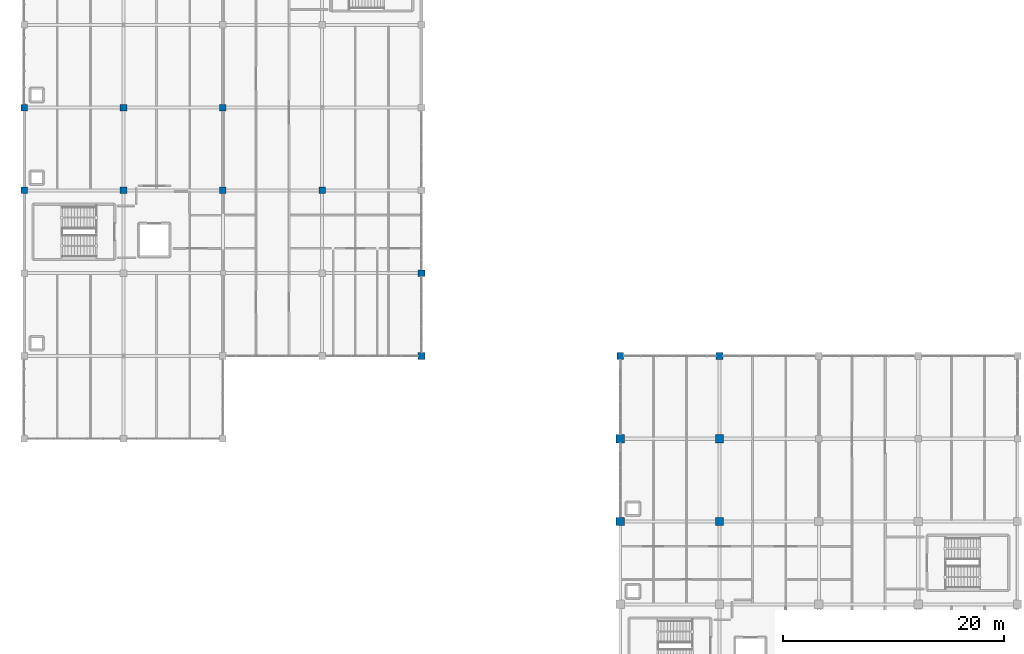
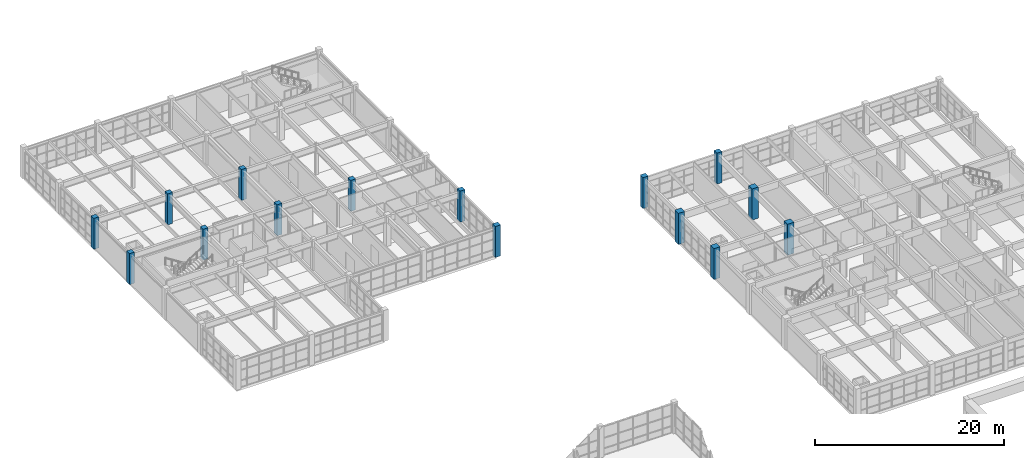
# One storey, part 8 of 76: 15 columns.
"""IFC4 building model written with IfcOpenShell, lengths in metres."""

from ifc_helpers import new_model, si_unit, direction, frame, origin, origin_2d, place, context, subcontext, project, spatial, rectangle, extrude, material, material_profile, profile_set, type_object, element, save


model = new_model("IFC4")

# Units and contexts
model_context = context("Model", 3, precision=1e-05, world=origin(), true_north=direction((0.0, 1.0)))
body_context = subcontext(model_context, "Body", "Model", "MODEL_VIEW")
ifc_project = project(units=[si_unit("LENGTHUNIT", "METRE"), si_unit("AREAUNIT", "SQUARE_METRE"), si_unit("VOLUMEUNIT", "CUBIC_METRE"), si_unit("PLANEANGLEUNIT", "RADIAN"), si_unit("MASSUNIT", "GRAM", prefix="KILO")], contexts=[model_context])

# Site, building, storey
site_placement = place(None, origin())
site = spatial("IfcSite", under=ifc_project, at=site_placement, CompositionType="ELEMENT")
building_placement = place(site_placement, origin())
building = spatial("IfcBuilding", under=site, at=building_placement, Name="Marnridge Secondary College", CompositionType="ELEMENT")
storey_placement = place(building_placement, frame((0.0, 0.0, 4.5)))
storey = spatial("IfcBuildingStorey", under=building, at=storey_placement, Name="L01", CompositionType="ELEMENT", Elevation=4.5)

# Columns
ifc_material_1 = material(Name="Concrete C40/50 (AS 3600 N40, 40 MPa)", Category="concrete")
ifc_material_profile_1 = material_profile(ifc_material_1, rectangle(XDim=0.60009765625, YDim=0.60009765625, at=origin_2d()), Name="RC 600x600")
ifc_profile_set_1 = profile_set([ifc_material_profile_1], Name="Concrete C40/50 (AS 3600 N40, 40 MPa)")
column_type_1 = type_object("IfcColumnType", Name="CL-RC600-EXT", PredefinedType="COLUMN", material=ifc_profile_set_1)
for number, where, z_axis, x_axis, name in (
    (1, (36.0, 82.5, 0.0), (0.0, 0.0, 1.0), (1.0, 0.0, 0.0), "Column C-L01-0480"),
    (2, (54.0, 82.5, 0.0), (0.0, 0.0, 1.0), (1.0, 0.0, 0.0), "Column C-L01-0483"),
    (3, (63.0, 82.5, 0.0), (0.0, 0.0, 1.0), (1.0, 0.0, 0.0), "Column C-L01-0486"),
    (4, (36.0, 90.0, 0.0), (0.0, 0.0, 1.0), (1.0, 0.0, 0.0), "Column C-L01-0520"),
    (5, (0.0, 97.5, 0.0), (0.0, 0.0, 1.0), (1.0, 0.0, 0.0), "Column C-L01-0530"),
    (6, (0.0, 105.0, 0.0), (0.0, 0.0, 1.0), (1.0, 0.0, 0.0), "Column C-L01-0556"),
):
    element("IfcColumn", number, at=place(storey_placement, frame(where, z_axis=z_axis, x_axis=x_axis)), inside=storey, type_object=column_type_1, Name=name, PredefinedType="COLUMN", context=body_context, shape_type="SweptSolid", body=[
        extrude(rectangle(XDim=0.60009765625, YDim=0.60009765625, at=origin_2d()), origin(), (0.0, 0.0, 1.0), 4.0),
    ])
ifc_material_2 = material(Name="Concrete C40/50 (AS 3600 N40, 40 MPa)", Category="concrete")
ifc_material_profile_2 = material_profile(ifc_material_2, rectangle(XDim=0.60009765625, YDim=0.60009765625, at=origin_2d()), Name="RC 600x600")
ifc_profile_set_2 = profile_set([ifc_material_profile_2], Name="Concrete C40/50 (AS 3600 N40, 40 MPa)")
column_type_2 = type_object("IfcColumnType", Name="CL-RC600-INT", PredefinedType="COLUMN", material=ifc_profile_set_2)
for number, where, z_axis, x_axis, name in (
    (7, (9.0, 97.5, 0.0), (0.0, 0.0, 1.0), (1.0, 0.0, 0.0), "Column C-L01-0534"),
    (8, (18.0, 97.5, 0.0), (0.0, 0.0, 1.0), (1.0, 0.0, 0.0), "Column C-L01-0538"),
    (9, (27.0, 97.5, 0.0), (0.0, 0.0, 1.0), (1.0, 0.0, 0.0), "Column C-L01-0542"),
    (10, (9.0, 105.0, 0.0), (0.0, 0.0, 1.0), (1.0, 0.0, 0.0), "Column C-L01-0560"),
    (11, (18.0, 105.0, 0.0), (0.0, 0.0, 1.0), (1.0, 0.0, 0.0), "Column C-L01-0564"),
):
    element("IfcColumn", number, at=place(storey_placement, frame(where, z_axis=z_axis, x_axis=x_axis)), inside=storey, type_object=column_type_2, Name=name, PredefinedType="COLUMN", context=body_context, shape_type="SweptSolid", body=[
        extrude(rectangle(XDim=0.60009765625, YDim=0.60009765625, at=origin_2d()), origin(), (0.0, 0.0, 1.0), 4.0),
    ])
ifc_material_3 = material(Name="Concrete C50/60 (AS 3600 N50, 50 MPa)", Category="concrete")
ifc_material_profile_3 = material_profile(ifc_material_3, rectangle(XDim=0.75, YDim=0.75, at=origin_2d()), Name="RC 750x750")
ifc_profile_set_3 = profile_set([ifc_material_profile_3], Name="Concrete C50/60 (AS 3600 N50, 50 MPa)")
column_type_3 = type_object("IfcColumnType", Name="CL-RC750-EXT", PredefinedType="COLUMN", material=ifc_profile_set_3)
for number, where, z_axis, x_axis, name in (
    (12, (54.0, 67.5, 0.0), (0.0, 0.0, 1.0), (1.0, 0.0, 0.0), "Column C-L01-0387"),
    (13, (54.0, 75.0, 0.0), (0.0, 0.0, 1.0), (1.0, 0.0, 0.0), "Column C-L01-0431"),
):
    element("IfcColumn", number, at=place(storey_placement, frame(where, z_axis=z_axis, x_axis=x_axis)), inside=storey, type_object=column_type_3, Name=name, PredefinedType="COLUMN", context=body_context, shape_type="SweptSolid", body=[
        extrude(rectangle(XDim=0.75, YDim=0.75, at=origin_2d()), origin(), (0.0, 0.0, 1.0), 4.0),
    ])
ifc_material_4 = material(Name="Concrete C50/60 (AS 3600 N50, 50 MPa)", Category="concrete")
ifc_material_profile_4 = material_profile(ifc_material_4, rectangle(XDim=0.75, YDim=0.75, at=origin_2d()), Name="RC 750x750")
ifc_profile_set_4 = profile_set([ifc_material_profile_4], Name="Concrete C50/60 (AS 3600 N50, 50 MPa)")
column_type_4 = type_object("IfcColumnType", Name="CL-RC750-INT", PredefinedType="COLUMN", material=ifc_profile_set_4)
for number, where, z_axis, x_axis, name in (
    (14, (63.0, 67.5, 0.0), (0.0, 0.0, 1.0), (1.0, 0.0, 0.0), "Column C-L01-0394"),
    (15, (63.0, 75.0, 0.0), (0.0, 0.0, 1.0), (1.0, 0.0, 0.0), "Column C-L01-0436"),
):
    element("IfcColumn", number, at=place(storey_placement, frame(where, z_axis=z_axis, x_axis=x_axis)), inside=storey, type_object=column_type_4, Name=name, PredefinedType="COLUMN", context=body_context, shape_type="SweptSolid", body=[
        extrude(rectangle(XDim=0.75, YDim=0.75, at=origin_2d()), origin(), (0.0, 0.0, 1.0), 4.0),
    ])

save(model, "model.ifc")
